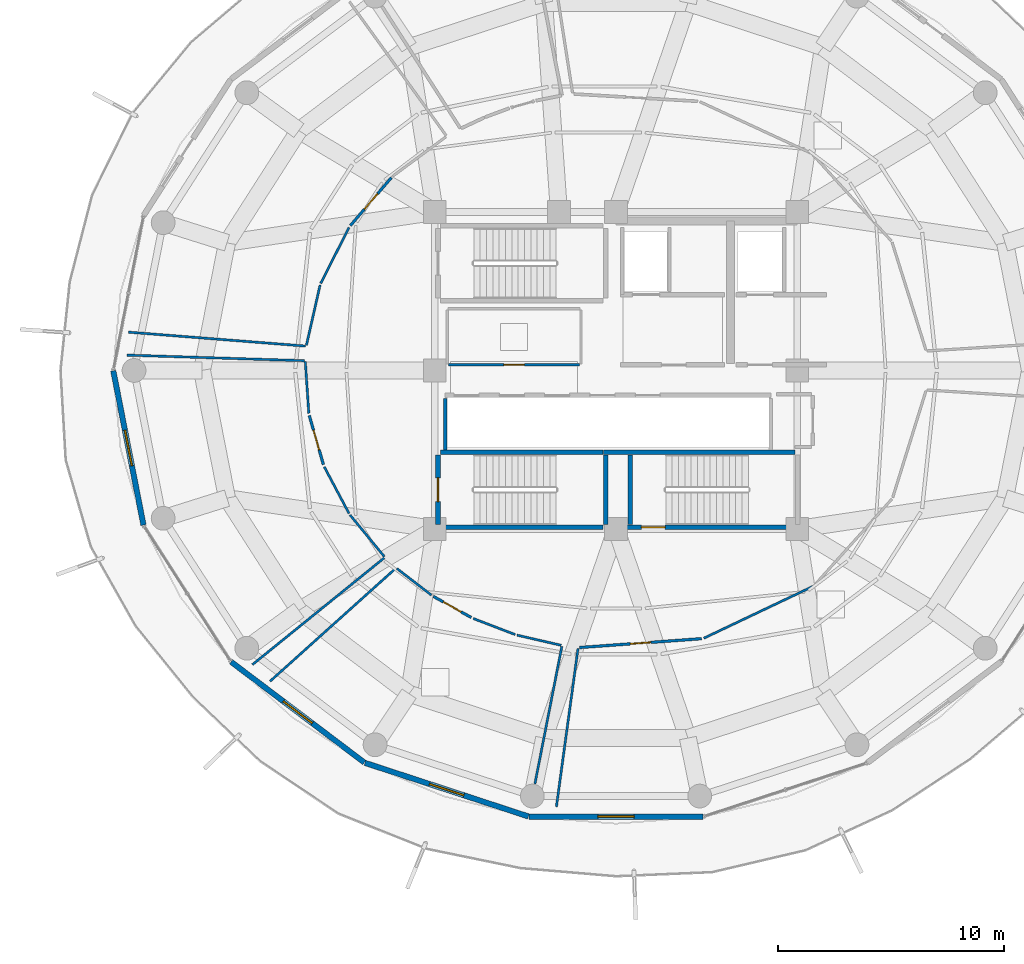
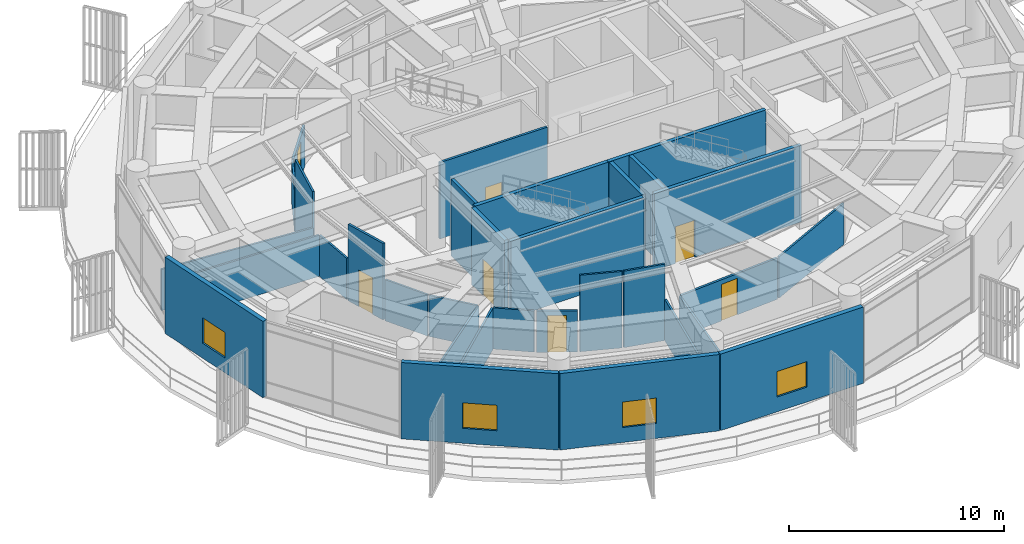
# One storey, part 22 of 29: 32 walls, 7 doors, 4 windows, 11 openings.
"""IFC4 building model written with IfcOpenShell, lengths in metres."""

import ifcopenshell
import ifcopenshell.guid

model = None  # the IFC model being written
_history = None  # IfcOwnerHistory: only IFC2X3 demands one
_inside = {}  # id of a spatial element -> (the spatial element, [elements in it])
_under = {}  # id of a project, library or spatial element -> (it, [spatial elements below it])
_declared = {}  # id of a project -> (the project, [libraries it declares])
_typed = {}  # id of a type object -> (the type object, [elements of that type])
_made_of = {}  # id of a material, layer set ... -> (it, [elements and type objects made of it])


def new_model(schema):
    """Start an empty IFC model of exactly this schema.

    Asked for "IFC4X3", IfcOpenShell would pick the latest addendum, in which some entities
    have other attributes; the version numbers below select the first issue.
    IFC2X3 requires an IfcOwnerHistory on every rooted entity: one is made here for all.
    """
    global model, _history
    if schema == "IFC4X3":
        model = ifcopenshell.file(schema_version=(4, 3, 0, 0))
    else:
        model = ifcopenshell.file(schema=schema)
    _inside.clear()
    _under.clear()
    _declared.clear()
    _typed.clear()
    _made_of.clear()
    _history = None
    if model.schema == "IFC2X3":
        org = make("IfcOrganization", Name="unknown")
        user = make(
            "IfcPersonAndOrganization",
            ThePerson=make("IfcPerson", FamilyName="unknown"),
            TheOrganization=org,
        )
        app = make(
            "IfcApplication",
            ApplicationDeveloper=org,
            Version="unknown",
            ApplicationFullName="unknown",
            ApplicationIdentifier="unknown",
        )
        _history = make(
            "IfcOwnerHistory",
            OwningUser=user,
            OwningApplication=app,
            ChangeAction="ADDED",
            CreationDate=0,
        )
    return model


def make(cls, **values):
    """One entity of the class cls with the attributes given. An attribute that is None is left unset."""
    return model.create_entity(
        cls, **{name: value for name, value in values.items() if value is not None}
    )


def rooted(cls, **values):
    """An entity with a GlobalId (a new one), such as an element, a storey or a relation."""
    return make(cls, GlobalId=ifcopenshell.guid.new(), OwnerHistory=_history, **values)


def si_unit(unit_type, name, prefix=None):
    """IfcSIUnit, for example si_unit("LENGTHUNIT", "METRE", prefix="MILLI")."""
    return make("IfcSIUnit", UnitType=unit_type, Prefix=prefix, Name=name)


def assignment(units):
    """IfcUnitAssignment: the units of a project."""
    return None if units is None else make("IfcUnitAssignment", Units=units)


def point(xyz):
    """IfcCartesianPoint."""
    return None if xyz is None else make("IfcCartesianPoint", Coordinates=xyz)


def direction(xyz):
    """IfcDirection."""
    return None if xyz is None else make("IfcDirection", DirectionRatios=xyz)


def frame(location, z_axis=None, x_axis=None):
    """IfcAxis2Placement3D, a coordinate frame: its origin and axes. An axis left out is left unset."""
    return make(
        "IfcAxis2Placement3D",
        Location=point(location),
        Axis=direction(z_axis),
        RefDirection=direction(x_axis),
    )


def frame_2d(location, x_axis=None):
    """IfcAxis2Placement2D, a coordinate frame in the plane: its origin and x axis."""
    return make(
        "IfcAxis2Placement2D", Location=point(location), RefDirection=direction(x_axis)
    )


def origin():
    """The frame at (0, 0, 0) with its axes left unset."""
    return frame((0.0, 0.0, 0.0))


def place(relative_to, where):
    """IfcLocalPlacement: puts the frame where relative to a parent placement (None: the world)."""
    return make(
        "IfcLocalPlacement", PlacementRelTo=relative_to, RelativePlacement=where
    )


def context(
    kind, dimensions, precision=None, world=None, true_north=None, identifier=None
):
    """IfcGeometricRepresentationContext, for example the 3D "Model" context."""
    return make(
        "IfcGeometricRepresentationContext",
        ContextIdentifier=identifier,
        ContextType=kind,
        CoordinateSpaceDimension=dimensions,
        Precision=precision,
        WorldCoordinateSystem=world,
        TrueNorth=true_north,
    )


def subcontext(parent, identifier, kind, view, scale=None):
    """IfcGeometricRepresentationSubContext, for example "Body" below "Model"."""
    return make(
        "IfcGeometricRepresentationSubContext",
        ContextIdentifier=identifier,
        ContextType=kind,
        ParentContext=parent,
        TargetScale=scale,
        TargetView=view,
    )


def project(units=None, contexts=None):
    """IfcProject with its units and contexts."""
    return rooted(
        "IfcProject",
        Name="project",
        RepresentationContexts=contexts,
        UnitsInContext=assignment(units),
    )


def spatial(cls, under=None, at=None, **own):
    """A site, building, storey or space (cls), placed at a placement, below another one or the project."""
    s = rooted(cls, ObjectPlacement=at, **own)
    if under is not None:
        _under.setdefault(under.id(), (under, []))[1].append(s)
    return s


def profile(cls, at=None, kind="AREA", **sizes):
    """A parametric profile (cls). Its sizes go by their IFC names, for example OverallWidth=200.0."""
    return make(cls, ProfileType=kind, Position=at, **sizes)


def rectangle(**sizes):
    """IfcRectangleProfileDef."""
    return profile("IfcRectangleProfileDef", **sizes)


def extrude(swept, where, along, depth):
    """IfcExtrudedAreaSolid: the profile swept, set in the frame where, extruded along a direction by depth."""
    return make(
        "IfcExtrudedAreaSolid",
        SweptArea=swept,
        Position=where,
        ExtrudedDirection=direction(along),
        Depth=depth,
    )


def shape(context_of_items, identifier, shape_type, items):
    """IfcShapeRepresentation: the items that make up one representation, for example the "Body"."""
    return make(
        "IfcShapeRepresentation",
        ContextOfItems=context_of_items,
        RepresentationIdentifier=identifier,
        RepresentationType=shape_type,
        Items=items,
    )


def material(Name=None, Category=None):
    """IfcMaterial."""
    return make("IfcMaterial", Name=Name, Category=Category)


def layer(
    of_material, thickness, ventilated=None, Name=None, Category=None, Priority=None
):
    """IfcMaterialLayer: one layer of a wall or slab, of a material (None: an air gap)."""
    return make(
        "IfcMaterialLayer",
        Material=of_material,
        LayerThickness=thickness,
        IsVentilated=ventilated,
        Name=Name,
        Category=Category,
        Priority=Priority,
    )


def layer_set(layers, Name=None):
    """IfcMaterialLayerSet."""
    return make("IfcMaterialLayerSet", MaterialLayers=layers, LayerSetName=Name)


def made_of(thing, what):
    """Note that an element or type object is made of a material, layer set ...; save() writes the relation."""
    if what is not None:
        _made_of.setdefault(what.id(), (what, []))[1].append(thing)
    return thing


def type_object(cls, material=None, **own):
    """A type object (cls), such as IfcWallType, which elements share."""
    return made_of(rooted(cls, **own), material)


def element(
    cls,
    number,
    at=None,
    inside=None,
    cuts=None,
    type_object=None,
    material=None,
    context=None,
    identifier="Body",
    shape_type=None,
    held_by="IfcProductDefinitionShape",
    body=None,
    shapes=None,
    **own,
):
    """One element of the class cls, such as IfcWall. Its Tag is "e" and its number.

    at: its placement. inside: the storey or other place that contains it. cuts: it is an
    opening in that element (IfcRelVoidsElement). A single representation is given by context,
    identifier, shape_type and body (its items); several are given by shapes. held_by: the class
    of the entity that holds the representations. save() writes the other relations.
    """
    e = rooted(cls, Tag="e%d" % number, ObjectPlacement=at, **own)
    if body is not None:
        shapes = [shape(context, identifier, shape_type, body)]
    if shapes is not None:
        e.Representation = make(held_by, Representations=shapes)
    if inside is not None:
        _inside.setdefault(inside.id(), (inside, []))[1].append(e)
    if cuts is not None:
        rooted(
            "IfcRelVoidsElement", RelatingBuildingElement=cuts, RelatedOpeningElement=e
        )
    if type_object is not None:
        _typed.setdefault(type_object.id(), (type_object, []))[1].append(e)
    return made_of(e, material)


def fill(opening, filler):
    """IfcRelFillsElement: the door or window that sits in an opening."""
    return rooted(
        "IfcRelFillsElement",
        RelatingOpeningElement=opening,
        RelatedBuildingElement=filler,
    )


def aggregate(whole, parts):
    """IfcRelAggregates: a whole, such as a stair, and the parts it consists of."""
    return rooted("IfcRelAggregates", RelatingObject=whole, RelatedObjects=parts)


def save(model, path):
    """Write the relations noted so far, then the file.

    IfcRelAggregates (storeys below a building ...), IfcRelContainedInSpatialStructure (elements
    in a storey), IfcRelDefinesByType, IfcRelAssociatesMaterial and IfcRelDeclares: one each for
    every whole, place, type object, material and project.
    """
    for whole, parts in _under.values():
        aggregate(whole, parts)
    for where, things in _inside.values():
        rooted(
            "IfcRelContainedInSpatialStructure",
            RelatedElements=things,
            RelatingStructure=where,
        )
    for kind, things in _typed.values():
        rooted("IfcRelDefinesByType", RelatedObjects=things, RelatingType=kind)
    for what, things in _made_of.values():
        rooted("IfcRelAssociatesMaterial", RelatedObjects=things, RelatingMaterial=what)
    for by, libraries in _declared.values():
        rooted("IfcRelDeclares", RelatingContext=by, RelatedDefinitions=libraries)
    model.write(path)


model = new_model("IFC4")

# Units and contexts
model_context = context("Model", 3, precision=1e-05, world=origin(), true_north=direction((0.0, 1.0)))
body_context = subcontext(model_context, "Body", "Model", "MODEL_VIEW")
ifc_project = project(units=[si_unit("LENGTHUNIT", "METRE"), si_unit("AREAUNIT", "SQUARE_METRE"), si_unit("VOLUMEUNIT", "CUBIC_METRE"), si_unit("PLANEANGLEUNIT", "RADIAN"), si_unit("MASSUNIT", "GRAM", prefix="KILO")], contexts=[model_context])

# Site, building, storey
site_placement = place(None, origin())
site = spatial("IfcSite", under=ifc_project, at=site_placement, CompositionType="ELEMENT")
building_placement = place(site_placement, origin())
building = spatial("IfcBuilding", under=site, at=building_placement, Name="Kelanora Arch Commons", CompositionType="ELEMENT")
storey_placement = place(building_placement, frame((0.0, 0.0, 238.199951171875)))
storey = spatial("IfcBuildingStorey", under=building, at=storey_placement, Name="L61", CompositionType="ELEMENT", Elevation=238.199951171875)

# Wall
ifc_material_1 = material(Name="Autoclaved aerated concrete blockwork with fire plaster", Category="masonry")
ifc_layer_1 = layer(ifc_material_1, 0.14990234375)
ifc_layer_set_1 = layer_set([ifc_layer_1], Name="Autoclaved aerated concrete blockwork with fire plaster")
wall_type_1 = type_object("IfcWallType", Name="W-COMP-150", PredefinedType="PARTITIONING", material=ifc_layer_set_1)
wall_1_placement = place(storey_placement, frame((66.4599609375, 54.47998046875, 0.0), z_axis=(0.0, 0.0, 1.0), x_axis=(0.0, 1.0, 0.0)))
element("IfcWall", 1, at=wall_1_placement, inside=storey, type_object=wall_type_1, Name="South Lift Bank West Wall L61", PredefinedType="PARTITIONING", context=body_context, shape_type="SweptSolid", body=[
    extrude(rectangle(XDim=2.2900390625, YDim=0.14990234375, at=frame_2d((1.14501953125, 0.0))), origin(), (0.0, 0.0, 1.0), 4.35009765625),
])

# Wall, opening, window
ifc_material_2 = material(Name="Precast concrete C40/50 upper-zone terracotta rainscreen", Category="masonry")
ifc_layer_2 = layer(ifc_material_2, 0.239990234375)
ifc_layer_set_2 = layer_set([ifc_layer_2], Name="Precast concrete C40/50 upper-zone terracotta rainscreen")
wall_type_2 = type_object("IfcWallType", Name="W-EXT-TC2", PredefinedType="SOLIDWALL", material=ifc_layer_set_2)
wall_2_placement = place(storey_placement, frame((51.802978515625, 57.9853515625, 0.0), z_axis=(0.0, 0.0, 1.0), x_axis=(0.192069055673, -0.981381413036, 0.0)))
wall_2 = element("IfcWall", 2, at=wall_2_placement, inside=storey, type_object=wall_type_2, Name="Terracotta Exterior Wall L61-B09", PredefinedType="SOLIDWALL", context=body_context, shape_type="SweptSolid", body=[
    extrude(rectangle(XDim=6.940185546875, YDim=0.239990234375, at=frame_2d((3.47021484375, 0.0))), origin(), (0.0, 0.0, 1.0), 4.344970703125),
])
opening_1_placement = place(wall_2_placement, frame((2.669921875, 0.0, 0.85009765625)))
opening_1 = element("IfcOpeningElement", 3, at=opening_1_placement, cuts=wall_2, Name="Opening WN-01", PredefinedType="OPENING", context=body_context, shape_type="SweptSolid", body=[
    extrude(rectangle(XDim=1.60009765625, YDim=1.449951171875, at=frame_2d((0.800048828125, 0.72509765625))), frame((0.0, 0.1298828125, 0.0), z_axis=(0.0, -1.0, 0.0), x_axis=(1.0, 0.0, 0.0)), (0.0, 0.0, 1.0), 0.260009765625),
])
ifc_material_3 = material(Name="Terracotta-anodised aluminium frame with operable low-E glazing", Category="masonry")
window_type = type_object("IfcWindowType", Name="WIN-CL-18", PartitioningType="DOUBLE_PANEL_VERTICAL", PredefinedType="WINDOW", material=ifc_material_3)
window_1_placement = place(opening_1_placement, origin())
window_1 = element("IfcWindow", 4, at=window_1_placement, inside=storey, type_object=window_type, Name="Co-Living Operable Window L61-B09", OverallHeight=1.449951171875, OverallWidth=1.60009765625, PartitioningType="SINGLE_PANEL", PredefinedType="WINDOW", context=body_context, shape_type="SweptSolid", body=[
    extrude(rectangle(XDim=1.60009765625, YDim=1.449951171875, at=frame_2d((0.800048828125, 0.72509765625))), frame((0.0, 0.030029296875, 0.0), z_axis=(0.0, -1.0, 0.0), x_axis=(1.0, 0.0, 0.0)), (0.0, 0.0, 1.0), 0.06005859375),
])
fill(opening_1, window_1)

wall_3_placement = place(storey_placement, frame((57.005859375, 45.13525390625, 0.0), z_axis=(0.0, 0.0, 1.0), x_axis=(0.797701674595, -0.603052268338, 0.0)))
wall_3 = element("IfcWall", 5, at=wall_3_placement, inside=storey, type_object=wall_type_2, Name="Terracotta Exterior Wall L61-B11", PredefinedType="SOLIDWALL", context=body_context, shape_type="SweptSolid", body=[
    extrude(rectangle(XDim=7.373779296875, YDim=0.239990234375, at=frame_2d((3.68701171875, 0.0))), origin(), (0.0, 0.0, 1.0), 4.344970703125),
])
opening_2_placement = place(wall_3_placement, frame((2.886962890625, 0.0, 0.85009765625)))
opening_2 = element("IfcOpeningElement", 6, at=opening_2_placement, cuts=wall_3, Name="Opening WN-01", PredefinedType="OPENING", context=body_context, shape_type="SweptSolid", body=[
    extrude(rectangle(XDim=1.60009765625, YDim=1.449951171875, at=frame_2d((0.800048828125, 0.72509765625))), frame((0.0, 0.1298828125, 0.0), z_axis=(0.0, -1.0, 0.0), x_axis=(1.0, 0.0, 0.0)), (0.0, 0.0, 1.0), 0.260009765625),
])
window_2_placement = place(opening_2_placement, origin())
window_2 = element("IfcWindow", 7, at=window_2_placement, inside=storey, type_object=window_type, Name="Co-Living Operable Window L61-B11", OverallHeight=1.449951171875, OverallWidth=1.60009765625, PartitioningType="SINGLE_PANEL", PredefinedType="WINDOW", context=body_context, shape_type="SweptSolid", body=[
    extrude(rectangle(XDim=1.60009765625, YDim=1.449951171875, at=frame_2d((0.800048828125, 0.72509765625))), frame((0.0, 0.030029296875, 0.0), z_axis=(0.0, -1.0, 0.0), x_axis=(1.0, 0.0, 0.0)), (0.0, 0.0, 1.0), 0.06005859375),
])
fill(opening_2, window_2)

wall_4_placement = place(storey_placement, frame((62.914306640625, 40.6748046875, 0.0), z_axis=(0.0, 0.0, 1.0), x_axis=(0.95022142767, -0.31157541366, 0.0)))
wall_4 = element("IfcWall", 8, at=wall_4_placement, inside=storey, type_object=wall_type_2, Name="Terracotta Exterior Wall L61-B12", PredefinedType="SOLIDWALL", context=body_context, shape_type="SweptSolid", body=[
    extrude(rectangle(XDim=7.59423828125, YDim=0.239990234375, at=frame_2d((3.797119140625, 0.0))), origin(), (0.0, 0.0, 1.0), 4.344970703125),
])
opening_3_placement = place(wall_4_placement, frame((2.9970703125, 0.0, 0.85009765625)))
opening_3 = element("IfcOpeningElement", 9, at=opening_3_placement, cuts=wall_4, Name="Opening WN-01", PredefinedType="OPENING", context=body_context, shape_type="SweptSolid", body=[
    extrude(rectangle(XDim=1.60009765625, YDim=1.449951171875, at=frame_2d((0.800048828125, 0.72509765625))), frame((0.0, 0.1298828125, 0.0), z_axis=(0.0, -1.0, 0.0), x_axis=(1.0, 0.0, 0.0)), (0.0, 0.0, 1.0), 0.260009765625),
])
window_3_placement = place(opening_3_placement, origin())
window_3 = element("IfcWindow", 10, at=window_3_placement, inside=storey, type_object=window_type, Name="Co-Living Operable Window L61-B12", OverallHeight=1.449951171875, OverallWidth=1.60009765625, PartitioningType="SINGLE_PANEL", PredefinedType="WINDOW", context=body_context, shape_type="SweptSolid", body=[
    extrude(rectangle(XDim=1.60009765625, YDim=1.449951171875, at=frame_2d((0.800048828125, 0.72509765625))), frame((0.0, 0.030029296875, 0.0), z_axis=(0.0, -1.0, 0.0), x_axis=(1.0, 0.0, 0.0)), (0.0, 0.0, 1.0), 0.06005859375),
])
fill(opening_3, window_3)

wall_5_placement = place(storey_placement, frame((70.159912109375, 38.3037109375, 0.0), z_axis=(0.0, 0.0, 1.0), x_axis=(1.0, 0.0, 0.0)))
wall_5 = element("IfcWall", 11, at=wall_5_placement, inside=storey, type_object=wall_type_2, Name="Terracotta Exterior Wall L61-B13", PredefinedType="SOLIDWALL", context=body_context, shape_type="SweptSolid", body=[
    extrude(rectangle(XDim=7.68017578125, YDim=0.239990234375, at=frame_2d((3.840087890625, 0.0))), origin(), (0.0, 0.0, 1.0), 4.344970703125),
])
opening_4_placement = place(wall_5_placement, frame((3.0400390625, 0.0, 0.85009765625)))
opening_4 = element("IfcOpeningElement", 12, at=opening_4_placement, cuts=wall_5, Name="Opening WN-01", PredefinedType="OPENING", context=body_context, shape_type="SweptSolid", body=[
    extrude(rectangle(XDim=1.60009765625, YDim=1.449951171875, at=frame_2d((0.800048828125, 0.72509765625))), frame((0.0, 0.1298828125, 0.0), z_axis=(0.0, -1.0, 0.0), x_axis=(1.0, 0.0, 0.0)), (0.0, 0.0, 1.0), 0.260009765625),
])
window_4_placement = place(opening_4_placement, origin())
window_4 = element("IfcWindow", 13, at=window_4_placement, inside=storey, type_object=window_type, Name="Co-Living Operable Window L61-B13", OverallHeight=1.449951171875, OverallWidth=1.60009765625, PartitioningType="SINGLE_PANEL", PredefinedType="WINDOW", context=body_context, shape_type="SweptSolid", body=[
    extrude(rectangle(XDim=1.60009765625, YDim=1.449951171875, at=frame_2d((0.800048828125, 0.72509765625))), frame((0.0, 0.030029296875, 0.0), z_axis=(0.0, -1.0, 0.0), x_axis=(1.0, 0.0, 0.0)), (0.0, 0.0, 1.0), 0.06005859375),
])
fill(opening_4, window_4)

# Walls
ifc_material_4 = material(Name="Lightweight fire-rated acoustic stud partition")
ifc_layer_3 = layer(ifc_material_4, 0.10009765625)
ifc_layer_set_3 = layer_set([ifc_layer_3], Name="Lightweight fire-rated acoustic stud partition")
wall_type_3 = type_object("IfcWallType", Name="W-PART-100", PredefinedType="PARTITIONING", material=ifc_layer_set_3)
wall_6_placement = place(storey_placement, frame((62.212890625, 64.314208984375, 0.0), z_axis=(0.0, 0.0, 1.0), x_axis=(-0.452532690557, -0.891747814114, 0.0)))
element("IfcWall", 14, at=wall_6_placement, inside=storey, type_object=wall_type_3, Name="Upper Sky Transfer Lecture Forum L61 Enclosure Partition 3", PredefinedType="PARTITIONING", context=body_context, shape_type="SweptSolid", body=[
    extrude(rectangle(XDim=2.76806640625, YDim=0.10009765625, at=frame_2d((1.384033203125, 0.0))), origin(), (0.0, 0.0, 1.0), 2.344970703125),
])
wall_7_placement = place(storey_placement, frame((60.93310546875, 61.77099609375, 0.0), z_axis=(0.0, 0.0, 1.0), x_axis=(-0.221074940913, -0.975256822842, 0.0)))
element("IfcWall", 15, at=wall_7_placement, inside=storey, type_object=wall_type_3, Name="Upper Sky Transfer Lecture Forum L61 Enclosure Partition 4", PredefinedType="PARTITIONING", context=body_context, shape_type="SweptSolid", body=[
    extrude(rectangle(XDim=2.724365234375, YDim=0.10009765625, at=frame_2d((1.3623046875, 0.0))), origin(), (0.0, 0.0, 1.0), 4.35009765625),
])
wall_8_placement = place(storey_placement, frame((60.281982421875, 59.078125, 0.0), z_axis=(0.0, 0.0, 1.0), x_axis=(-0.996926267176, 0.078345502835, 0.0)))
element("IfcWall", 16, at=wall_8_placement, inside=storey, type_object=wall_type_3, Name="Upper Sky Transfer Lecture Forum L61 Enclosure Partition 5", PredefinedType="PARTITIONING", context=body_context, shape_type="SweptSolid", body=[
    extrude(rectangle(XDim=7.834228515625, YDim=0.10009765625, at=frame_2d((3.9169921875, 0.0))), origin(), (0.0, 0.0, 1.0), 2.344970703125),
])
wall_9_placement = place(storey_placement, frame((60.28076171875, 58.39013671875, 0.0), z_axis=(0.0, 0.0, 1.0), x_axis=(0.068072237744, -0.99768039494, 0.0)))
element("IfcWall", 17, at=wall_9_placement, inside=storey, type_object=wall_type_3, Name="Mid-to-High Sky Transfer Concourse L61 Enclosure Partition 1", PredefinedType="PARTITIONING", context=body_context, shape_type="SweptSolid", body=[
    extrude(rectangle(XDim=2.28466796875, YDim=0.10009765625, at=frame_2d((1.142333984375, 0.0))), origin(), (0.0, 0.0, 1.0), 2.344970703125),
])
wall_10_placement = place(storey_placement, frame((61.11669921875, 53.747802734375, 0.0), z_axis=(0.0, 0.0, 1.0), x_axis=(0.469073693437, -0.883159028785, 0.0)))
element("IfcWall", 18, at=wall_10_placement, inside=storey, type_object=wall_type_3, Name="Mid-to-High Sky Transfer Concourse L61 Enclosure Partition 3", PredefinedType="PARTITIONING", context=body_context, shape_type="SweptSolid", body=[
    extrude(rectangle(XDim=2.33544921875, YDim=0.10009765625, at=frame_2d((1.167724609375, 0.0))), origin(), (0.0, 0.0, 1.0), 2.344970703125),
])
wall_11_placement = place(storey_placement, frame((62.25634765625, 51.619140625, 0.0), z_axis=(0.0, 0.0, 1.0), x_axis=(0.636052062508, -0.771646145444, 0.0)))
element("IfcWall", 19, at=wall_11_placement, inside=storey, type_object=wall_type_3, Name="Mid-to-High Sky Transfer Concourse L61 Enclosure Partition 4", PredefinedType="PARTITIONING", context=body_context, shape_type="SweptSolid", body=[
    extrude(rectangle(XDim=2.382080078125, YDim=0.10009765625, at=frame_2d((1.19091796875, 0.0))), origin(), (0.0, 0.0, 1.0), 2.344970703125),
])
wall_12_placement = place(storey_placement, frame((63.765869140625, 49.724853515625, 0.0), z_axis=(0.0, 0.0, 1.0), x_axis=(-0.777235006442, -0.629210413742, 0.0)))
element("IfcWall", 20, at=wall_12_placement, inside=storey, type_object=wall_type_3, Name="Mid-to-High Sky Transfer Concourse L61 Enclosure Partition 5", PredefinedType="PARTITIONING", context=body_context, shape_type="SweptSolid", body=[
    extrude(rectangle(XDim=7.492919921875, YDim=0.10009765625, at=frame_2d((3.74658203125, 0.0))), origin(), (0.0, 0.0, 1.0), 2.344970703125),
])
wall_13_placement = place(storey_placement, frame((52.403076171875, 58.677734375, 0.0), z_axis=(0.0, 0.0, 1.0), x_axis=(0.999506102382, -0.03142532897, 0.0)))
element("IfcWall", 21, at=wall_13_placement, inside=storey, type_object=wall_type_3, Name="Mid-to-High Sky Transfer Concourse L61 Enclosure Partition 10", PredefinedType="PARTITIONING", context=body_context, shape_type="SweptSolid", body=[
    extrude(rectangle(XDim=7.8388671875, YDim=0.10009765625, at=frame_2d((3.91943359375, 0.0))), origin(), (0.0, 0.0, 1.0), 2.344970703125),
])
wall_14_placement = place(storey_placement, frame((64.32275390625, 49.256591796875, 0.0), z_axis=(0.0, 0.0, 1.0), x_axis=(0.792378964909, -0.610029159934, 0.0)))
element("IfcWall", 22, at=wall_14_placement, inside=storey, type_object=wall_type_3, Name="Silent Horizon Research Library L61 Enclosure Partition 1", PredefinedType="PARTITIONING", context=body_context, shape_type="SweptSolid", body=[
    extrude(rectangle(XDim=1.926513671875, YDim=0.10009765625, at=frame_2d((0.96337890625, 0.0))), origin(), (0.0, 0.0, 1.0), 2.344970703125),
])
wall_15_placement = place(storey_placement, frame((67.697265625, 47.048583984375, 0.0), z_axis=(0.0, 0.0, 1.0), x_axis=(0.933735149574, -0.357964621786, 0.0)))
element("IfcWall", 23, at=wall_15_placement, inside=storey, type_object=wall_type_3, Name="Silent Horizon Research Library L61 Enclosure Partition 3", PredefinedType="PARTITIONING", context=body_context, shape_type="SweptSolid", body=[
    extrude(rectangle(XDim=1.984130859375, YDim=0.10009765625, at=frame_2d((0.9921875, 0.0))), origin(), (0.0, 0.0, 1.0), 4.35009765625),
])
wall_16_placement = place(storey_placement, frame((69.6259765625, 46.31494140625, 0.0), z_axis=(0.0, 0.0, 1.0), x_axis=(0.974526673994, -0.224271624762, 0.0)))
element("IfcWall", 24, at=wall_16_placement, inside=storey, type_object=wall_type_3, Name="Silent Horizon Research Library L61 Enclosure Partition 4", PredefinedType="PARTITIONING", context=body_context, shape_type="SweptSolid", body=[
    extrude(rectangle(XDim=2.001953125, YDim=0.10009765625, at=frame_2d((1.0009765625, 0.0))), origin(), (0.0, 0.0, 1.0), 4.35009765625),
])
wall_17_placement = place(storey_placement, frame((71.6083984375, 45.817626953125, 0.0), z_axis=(0.0, 0.0, 1.0), x_axis=(-0.19242564028, -0.981311557541, 0.0)))
element("IfcWall", 25, at=wall_17_placement, inside=storey, type_object=wall_type_3, Name="Silent Horizon Research Library L61 Enclosure Partition 5", PredefinedType="PARTITIONING", context=body_context, shape_type="SweptSolid", body=[
    extrude(rectangle(XDim=6.18505859375, YDim=0.10009765625, at=frame_2d((3.092529296875, 0.0))), origin(), (0.0, 0.0, 1.0), 2.344970703125),
])
wall_18_placement = place(storey_placement, frame((58.720703125, 44.273681640625, 0.0), z_axis=(0.0, 0.0, 1.0), x_axis=(0.743678571083, 0.668537345936, 0.0)))
element("IfcWall", 26, at=wall_18_placement, inside=storey, type_object=wall_type_3, Name="Silent Horizon Research Library L61 Enclosure Partition 10", PredefinedType="PARTITIONING", context=body_context, shape_type="SweptSolid", body=[
    extrude(rectangle(XDim=7.4501953125, YDim=0.10009765625, at=frame_2d((3.72509765625, 0.0))), origin(), (0.0, 0.0, 1.0), 2.344970703125),
])
wall_19_placement = place(storey_placement, frame((77.878173828125, 46.18017578125, 0.0), z_axis=(0.0, 0.0, 1.0), x_axis=(0.903304994033, 0.428998936775, 0.0)))
element("IfcWall", 27, at=wall_19_placement, inside=storey, type_object=wall_type_3, Name="Acoustic Music and Cinema Suite L61 Enclosure Partition 2", PredefinedType="PARTITIONING", context=body_context, shape_type="SweptSolid", body=[
    extrude(rectangle(XDim=5.334716796875, YDim=0.10009765625, at=frame_2d((2.66748046875, 0.0))), origin(), (0.0, 0.0, 1.0), 2.344970703125),
])
wall_20_placement = place(storey_placement, frame((71.367431640625, 38.734619140625, 0.0), z_axis=(0.0, 0.0, 1.0), x_axis=(0.135283127844, 0.990806981869, 0.0)))
element("IfcWall", 28, at=wall_20_placement, inside=storey, type_object=wall_type_3, Name="Acoustic Music and Cinema Suite L61 Enclosure Partition 10", PredefinedType="PARTITIONING", context=body_context, shape_type="SweptSolid", body=[
    extrude(rectangle(XDim=7.052734375, YDim=0.10009765625, at=frame_2d((3.5263671875, 0.0))), origin(), (0.0, 0.0, 1.0), 2.344970703125),
])

# Wall, opening, door
ifc_material_5 = material(Name="Acoustic twin-stud fire-rated gypsum partition")
ifc_layer_4 = layer(ifc_material_5, 0.1201171875)
ifc_layer_set_4 = layer_set([ifc_layer_4], Name="Acoustic twin-stud fire-rated gypsum partition")
wall_type_4 = type_object("IfcWallType", Name="W-PART-120", PredefinedType="PARTITIONING", material=ifc_layer_set_4)
wall_21_placement = place(storey_placement, frame((66.610107421875, 58.25, 0.0), z_axis=(0.0, 0.0, 1.0), x_axis=(1.0, 0.0, 0.0)))
wall_21 = element("IfcWall", 29, at=wall_21_placement, inside=storey, type_object=wall_type_4, Name="Reclaimed Core Study Pod Lounge L61 Entry Partition", PredefinedType="PARTITIONING", context=body_context, shape_type="SweptSolid", body=[
    extrude(rectangle(XDim=5.77978515625, YDim=0.1201171875, at=frame_2d((2.889892578125, 0.0))), origin(), (0.0, 0.0, 1.0), 4.35009765625),
])
opening_5_placement = place(wall_21_placement, frame((2.43994140625, 0.0, 0.0)))
opening_5 = element("IfcOpeningElement", 30, at=opening_5_placement, cuts=wall_21, Name="Opening D-RM1", PredefinedType="OPENING", context=body_context, shape_type="SweptSolid", body=[
    extrude(rectangle(XDim=0.89990234375, YDim=2.080078125, at=frame_2d((0.449951171875, 1.0400390625))), frame((0.0, 0.070068359375, 0.0), z_axis=(0.0, -1.0, 0.0), x_axis=(1.0, 0.0, 0.0)), (0.0, 0.0, 1.0), 0.14013671875),
])
ifc_material_6 = material(Name="Acoustic fire-rated timber study and lounge door", Category="wood")
door_type_1 = type_object("IfcDoorType", Name="D-ROOM-90", OperationType="NOTDEFINED", PredefinedType="DOOR", material=ifc_material_6)
door_1_placement = place(opening_5_placement, origin())
door_1 = element("IfcDoor", 31, at=door_1_placement, inside=storey, type_object=door_type_1, Name="Reclaimed Core Study Pod Lounge L61 Door", OperationType="SINGLE_SWING_RIGHT", OverallHeight=2.080078125, OverallWidth=0.89990234375, PredefinedType="DOOR", context=body_context, shape_type="SweptSolid", body=[
    extrude(rectangle(XDim=0.89990234375, YDim=2.080078125, at=frame_2d((0.449951171875, 1.0400390625))), frame((0.0, 0.02490234375, 0.0), z_axis=(0.0, -1.0, 0.0), x_axis=(1.0, 0.0, 0.0)), (0.0, 0.0, 1.0), 0.050048828125),
])
fill(opening_5, door_1)

wall_22_placement = place(storey_placement, frame((64.083984375, 66.519287109375, 0.0), z_axis=(0.0, 0.0, 1.0), x_axis=(-0.649465845108, -0.760390765356, 0.0)))
wall_22 = element("IfcWall", 32, at=wall_22_placement, inside=storey, type_object=wall_type_4, Name="Upper Sky Transfer Lecture Forum L61 Entry Partition", PredefinedType="PARTITIONING", context=body_context, shape_type="SweptSolid", body=[
    extrude(rectangle(XDim=2.79296875, YDim=0.1201171875, at=frame_2d((1.396484375, 0.0))), origin(), (0.0, 0.0, 1.0), 2.344970703125),
])
opening_6_placement = place(wall_22_placement, frame((0.947021484375, 0.0, 0.0)))
opening_6 = element("IfcOpeningElement", 33, at=opening_6_placement, cuts=wall_22, Name="Opening D-RM1", PredefinedType="OPENING", context=body_context, shape_type="SweptSolid", body=[
    extrude(rectangle(XDim=0.89990234375, YDim=2.080078125, at=frame_2d((0.449951171875, 1.0400390625))), frame((0.0, 0.070068359375, 0.0), z_axis=(0.0, -1.0, 0.0), x_axis=(1.0, 0.0, 0.0)), (0.0, 0.0, 1.0), 0.14013671875),
])
door_2_placement = place(opening_6_placement, origin())
door_2 = element("IfcDoor", 34, at=door_2_placement, inside=storey, type_object=door_type_1, Name="Upper Sky Transfer Lecture Forum L61 Door", OperationType="SINGLE_SWING_LEFT", OverallHeight=2.080078125, OverallWidth=0.89990234375, PredefinedType="DOOR", context=body_context, shape_type="SweptSolid", body=[
    extrude(rectangle(XDim=0.89990234375, YDim=2.080078125, at=frame_2d((0.449951171875, 1.0400390625))), frame((0.0, 0.02490234375, 0.0), z_axis=(0.0, -1.0, 0.0), x_axis=(1.0, 0.0, 0.0)), (0.0, 0.0, 1.0), 0.050048828125),
])
fill(opening_6, door_2)

wall_23_placement = place(storey_placement, frame((60.45556640625, 56.01318359375, 0.0), z_axis=(0.0, 0.0, 1.0), x_axis=(0.276788679801, -0.960930812668, 0.0)))
wall_23 = element("IfcWall", 35, at=wall_23_placement, inside=storey, type_object=wall_type_4, Name="Mid-to-High Sky Transfer Concourse L61 Entry Partition", PredefinedType="PARTITIONING", context=body_context, shape_type="SweptSolid", body=[
    extrude(rectangle(XDim=2.2607421875, YDim=0.1201171875, at=frame_2d((1.13037109375, 0.0))), origin(), (0.0, 0.0, 1.0), 4.35009765625),
])
opening_7_placement = place(wall_23_placement, frame((0.679931640625, 0.0, 0.0)))
opening_7 = element("IfcOpeningElement", 36, at=opening_7_placement, cuts=wall_23, Name="Opening D-RM1", PredefinedType="OPENING", context=body_context, shape_type="SweptSolid", body=[
    extrude(rectangle(XDim=0.89990234375, YDim=2.080078125, at=frame_2d((0.449951171875, 1.0400390625))), frame((0.0, 0.070068359375, 0.0), z_axis=(0.0, -1.0, 0.0), x_axis=(1.0, 0.0, 0.0)), (0.0, 0.0, 1.0), 0.14013671875),
])
door_3_placement = place(opening_7_placement, origin())
door_3 = element("IfcDoor", 37, at=door_3_placement, inside=storey, type_object=door_type_1, Name="Mid-to-High Sky Transfer Concourse L61 Door", OperationType="SINGLE_SWING_RIGHT", OverallHeight=2.080078125, OverallWidth=0.89990234375, PredefinedType="DOOR", context=body_context, shape_type="SweptSolid", body=[
    extrude(rectangle(XDim=0.89990234375, YDim=2.080078125, at=frame_2d((0.449951171875, 1.0400390625))), frame((0.0, 0.02490234375, 0.0), z_axis=(0.0, -1.0, 0.0), x_axis=(1.0, 0.0, 0.0)), (0.0, 0.0, 1.0), 0.050048828125),
])
fill(opening_7, door_3)

wall_24_placement = place(storey_placement, frame((65.933349609375, 48.027587890625, 0.0), z_axis=(0.0, 0.0, 1.0), x_axis=(0.873020002145, -0.487684401898, 0.0)))
wall_24 = element("IfcWall", 38, at=wall_24_placement, inside=storey, type_object=wall_type_4, Name="Silent Horizon Research Library L61 Entry Partition", PredefinedType="PARTITIONING", context=body_context, shape_type="SweptSolid", body=[
    extrude(rectangle(XDim=1.917724609375, YDim=0.1201171875, at=frame_2d((0.958984375, 0.0))), origin(), (0.0, 0.0, 1.0), 2.344970703125),
])
opening_8_placement = place(wall_24_placement, frame((0.509033203125, 0.0, 0.0)))
opening_8 = element("IfcOpeningElement", 39, at=opening_8_placement, cuts=wall_24, Name="Opening D-RM1", PredefinedType="OPENING", context=body_context, shape_type="SweptSolid", body=[
    extrude(rectangle(XDim=0.89990234375, YDim=2.080078125, at=frame_2d((0.449951171875, 1.0400390625))), frame((0.0, 0.070068359375, 0.0), z_axis=(0.0, -1.0, 0.0), x_axis=(1.0, 0.0, 0.0)), (0.0, 0.0, 1.0), 0.14013671875),
])
door_4_placement = place(opening_8_placement, origin())
door_4 = element("IfcDoor", 40, at=door_4_placement, inside=storey, type_object=door_type_1, Name="Silent Horizon Research Library L61 Door", OperationType="SINGLE_SWING_LEFT", OverallHeight=2.080078125, OverallWidth=0.89990234375, PredefinedType="DOOR", context=body_context, shape_type="SweptSolid", body=[
    extrude(rectangle(XDim=0.89990234375, YDim=2.080078125, at=frame_2d((0.449951171875, 1.0400390625))), frame((0.0, 0.02490234375, 0.0), z_axis=(0.0, -1.0, 0.0), x_axis=(1.0, 0.0, 0.0)), (0.0, 0.0, 1.0), 0.050048828125),
])
fill(opening_8, door_4)

wall_25_placement = place(storey_placement, frame((72.38671875, 45.766357421875, 0.0), z_axis=(0.0, 0.0, 1.0), x_axis=(0.997366707309, 0.072523452427, 0.0)))
wall_25 = element("IfcWall", 41, at=wall_25_placement, inside=storey, type_object=wall_type_4, Name="Acoustic Music and Cinema Suite L61 Entry Partition", PredefinedType="PARTITIONING", context=body_context, shape_type="SweptSolid", body=[
    extrude(rectangle(XDim=5.40966796875, YDim=0.1201171875, at=frame_2d((2.704833984375, 0.0))), origin(), (0.0, 0.0, 1.0), 2.344970703125),
])
opening_9_placement = place(wall_25_placement, frame((2.2548828125, 0.0, 0.0)))
opening_9 = element("IfcOpeningElement", 42, at=opening_9_placement, cuts=wall_25, Name="Opening D-RM1", PredefinedType="OPENING", context=body_context, shape_type="SweptSolid", body=[
    extrude(rectangle(XDim=0.89990234375, YDim=2.080078125, at=frame_2d((0.449951171875, 1.0400390625))), frame((0.0, 0.070068359375, 0.0), z_axis=(0.0, -1.0, 0.0), x_axis=(1.0, 0.0, 0.0)), (0.0, 0.0, 1.0), 0.14013671875),
])
door_5_placement = place(opening_9_placement, origin())
door_5 = element("IfcDoor", 43, at=door_5_placement, inside=storey, type_object=door_type_1, Name="Acoustic Music and Cinema Suite L61 Door", OperationType="SINGLE_SWING_RIGHT", OverallHeight=2.080078125, OverallWidth=0.89990234375, PredefinedType="DOOR", context=body_context, shape_type="SweptSolid", body=[
    extrude(rectangle(XDim=0.89990234375, YDim=2.080078125, at=frame_2d((0.449951171875, 1.0400390625))), frame((0.0, 0.02490234375, 0.0), z_axis=(0.0, -1.0, 0.0), x_axis=(1.0, 0.0, 0.0)), (0.0, 0.0, 1.0), 0.050048828125),
])
fill(opening_9, door_5)

ifc_material_7 = material(Name="Concrete C40/50", Category="concrete")
ifc_layer_5 = layer(ifc_material_7, 0.199951171875)
ifc_layer_set_5 = layer_set([ifc_layer_5], Name="Concrete C40/50")
wall_type_5 = type_object("IfcWallType", Name="W-STAIR-200", PredefinedType="SHEAR", material=ifc_layer_set_5)
wall_26_placement = place(storey_placement, frame((74.0, 51.080078125, 0.0), z_axis=(0.0, 0.0, 1.0), x_axis=(1.0, 0.0, 0.0)))
wall_26 = element("IfcWall", 44, at=wall_26_placement, inside=storey, type_object=wall_type_5, Name="Stair ST-T2 Shaft Wall S L61", PredefinedType="SHEAR", context=body_context, shape_type="SweptSolid", body=[
    extrude(rectangle(XDim=7.89990234375, YDim=0.199951171875, at=frame_2d((3.949951171875, 0.0))), origin(), (0.0, 0.0, 1.0), 4.360107421875),
])
opening_10_placement = place(wall_26_placement, frame((1.1201171875, 0.0, 0.0)))
opening_10 = element("IfcOpeningElement", 45, at=opening_10_placement, cuts=wall_26, Name="Opening D-ST1", PredefinedType="OPENING", context=body_context, shape_type="SweptSolid", body=[
    extrude(rectangle(XDim=1.050048828125, YDim=2.10009765625, at=frame_2d((0.52490234375, 1.050048828125))), frame((0.0, 0.10986328125, 0.0), z_axis=(0.0, -1.0, 0.0), x_axis=(1.0, 0.0, 0.0)), (0.0, 0.0, 1.0), 0.219970703125),
])
ifc_material_8 = material(Name="Steel fire-rated stairwell escape door", Category="steel")
door_type_2 = type_object("IfcDoorType", Name="D-STAIR-110", OperationType="NOTDEFINED", PredefinedType="DOOR", material=ifc_material_8)
door_6_placement = place(opening_10_placement, origin())
door_6 = element("IfcDoor", 46, at=door_6_placement, inside=storey, type_object=door_type_2, Name="Stair ST-T2 Escape Door L61", OperationType="SINGLE_SWING_LEFT", OverallHeight=2.10009765625, OverallWidth=1.050048828125, PredefinedType="DOOR", context=body_context, shape_type="SweptSolid", body=[
    extrude(rectangle(XDim=1.050048828125, YDim=2.10009765625, at=frame_2d((0.52490234375, 1.050048828125))), frame((0.0, 0.02490234375, 0.0), z_axis=(0.0, -1.0, 0.0), x_axis=(1.0, 0.0, 0.0)), (0.0, 0.0, 1.0), 0.050048828125),
])
fill(opening_10, door_6)

# Walls
wall_27_placement = place(storey_placement, frame((81.89990234375, 54.389892578125, 0.0), z_axis=(0.0, 0.0, 1.0), x_axis=(-1.0, 0.0, 0.0)))
element("IfcWall", 47, at=wall_27_placement, inside=storey, type_object=wall_type_5, Name="Stair ST-T2 Shaft Wall N L61", PredefinedType="SHEAR", context=body_context, shape_type="SweptSolid", body=[
    extrude(rectangle(XDim=8.4599609375, YDim=0.199951171875, at=frame_2d((4.22998046875, 0.0))), origin(), (0.0, 0.0, 1.0), 4.360107421875),
])
wall_28_placement = place(storey_placement, frame((74.6201171875, 54.27001953125, 0.0), z_axis=(0.0, 0.0, 1.0), x_axis=(0.0, -1.0, 0.0)))
element("IfcWall", 48, at=wall_28_placement, inside=storey, type_object=wall_type_5, Name="Stair ST-T2 Shaft Wall W L61", PredefinedType="SHEAR", context=body_context, shape_type="SweptSolid", body=[
    extrude(rectangle(XDim=3.070068359375, YDim=0.199951171875, at=frame_2d((1.53515625, 0.0))), origin(), (0.0, 0.0, 1.0), 4.360107421875),
])
wall_29_placement = place(storey_placement, frame((66.260009765625, 51.080078125, 0.0), z_axis=(0.0, 0.0, 1.0), x_axis=(1.0, 0.0, 0.0)))
element("IfcWall", 49, at=wall_29_placement, inside=storey, type_object=wall_type_5, Name="Stair ST-T3 Shaft Wall S L61", PredefinedType="SHEAR", context=body_context, shape_type="SweptSolid", body=[
    extrude(rectangle(XDim=7.159912109375, YDim=0.199951171875, at=frame_2d((3.580078125, 0.0))), origin(), (0.0, 0.0, 1.0), 4.360107421875),
])
wall_30_placement = place(storey_placement, frame((73.5400390625, 51.199951171875, 0.0), z_axis=(0.0, 0.0, 1.0), x_axis=(0.0, 1.0, 0.0)))
element("IfcWall", 50, at=wall_30_placement, inside=storey, type_object=wall_type_5, Name="Stair ST-T3 Shaft Wall E L61", PredefinedType="SHEAR", context=body_context, shape_type="SweptSolid", body=[
    extrude(rectangle(XDim=3.070068359375, YDim=0.199951171875, at=frame_2d((1.53515625, 0.0))), origin(), (0.0, 0.0, 1.0), 4.360107421875),
])
wall_31_placement = place(storey_placement, frame((73.419921875, 54.389892578125, 0.0), z_axis=(0.0, 0.0, 1.0), x_axis=(-1.0, 0.0, 0.0)))
element("IfcWall", 51, at=wall_31_placement, inside=storey, type_object=wall_type_5, Name="Stair ST-T3 Shaft Wall N L61", PredefinedType="SHEAR", context=body_context, shape_type="SweptSolid", body=[
    extrude(rectangle(XDim=7.159912109375, YDim=0.199951171875, at=frame_2d((3.580078125, 0.0))), origin(), (0.0, 0.0, 1.0), 4.360107421875),
])

# Wall, opening, door
wall_32_placement = place(storey_placement, frame((66.139892578125, 54.27001953125, 0.0), z_axis=(0.0, 0.0, 1.0), x_axis=(0.0, -1.0, 0.0)))
wall_32 = element("IfcWall", 52, at=wall_32_placement, inside=storey, type_object=wall_type_5, Name="Stair ST-T3 Shaft Wall W L61", PredefinedType="SHEAR", context=body_context, shape_type="SweptSolid", body=[
    extrude(rectangle(XDim=3.070068359375, YDim=0.199951171875, at=frame_2d((1.53515625, 0.0))), origin(), (0.0, 0.0, 1.0), 4.360107421875),
])
opening_11_placement = place(wall_32_placement, frame((1.010009765625, 0.0, 0.0)))
opening_11 = element("IfcOpeningElement", 53, at=opening_11_placement, cuts=wall_32, Name="Opening D-ST1", PredefinedType="OPENING", context=body_context, shape_type="SweptSolid", body=[
    extrude(rectangle(XDim=1.050048828125, YDim=2.10009765625, at=frame_2d((0.52490234375, 1.050048828125))), frame((0.0, 0.10986328125, 0.0), z_axis=(0.0, -1.0, 0.0), x_axis=(1.0, 0.0, 0.0)), (0.0, 0.0, 1.0), 0.219970703125),
])
door_7_placement = place(opening_11_placement, origin())
door_7 = element("IfcDoor", 54, at=door_7_placement, inside=storey, type_object=door_type_2, Name="Stair ST-T3 Escape Door L61", OperationType="SINGLE_SWING_LEFT", OverallHeight=2.10009765625, OverallWidth=1.050048828125, PredefinedType="DOOR", context=body_context, shape_type="SweptSolid", body=[
    extrude(rectangle(XDim=1.050048828125, YDim=2.10009765625, at=frame_2d((0.52490234375, 1.050048828125))), frame((0.0, 0.02490234375, 0.0), z_axis=(0.0, -1.0, 0.0), x_axis=(1.0, 0.0, 0.0)), (0.0, 0.0, 1.0), 0.050048828125),
])
fill(opening_11, door_7)

save(model, "model.ifc")
